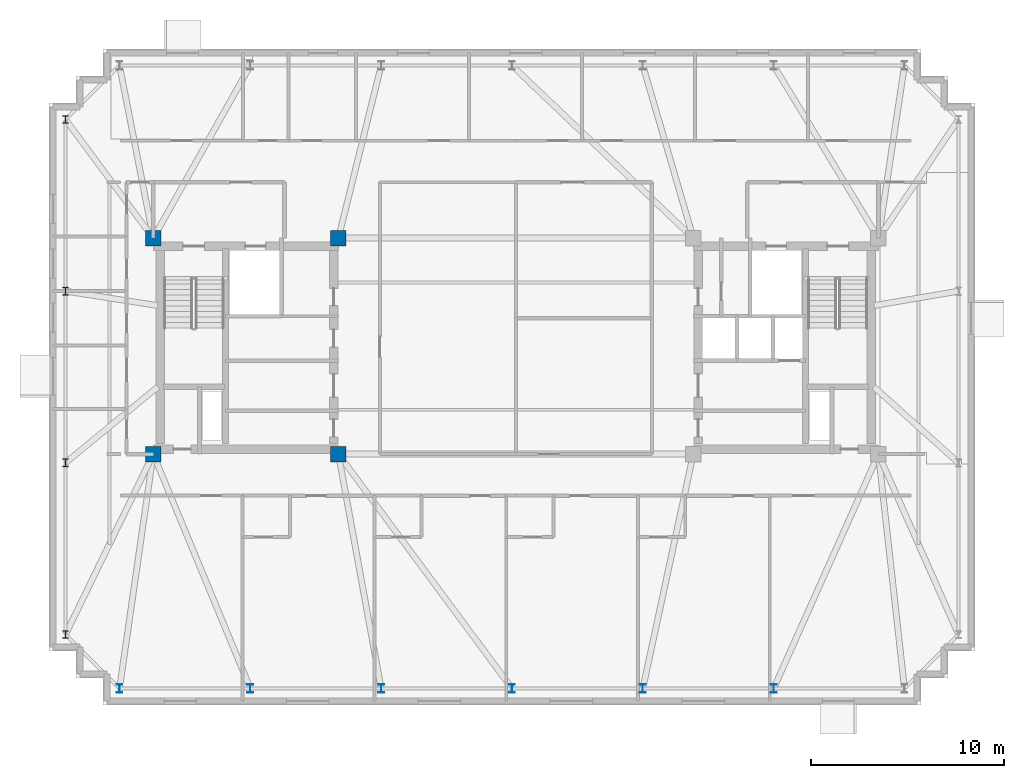
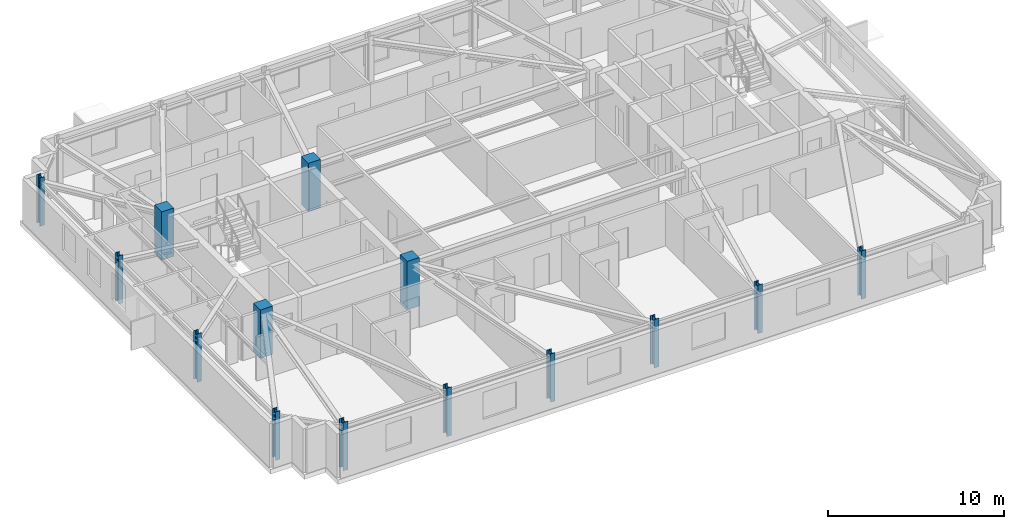
# One storey, part 1 of 12: 14 columns.
"""IFC4 building model written with IfcOpenShell, lengths in metres."""

from ifc_helpers import new_model, si_unit, direction, frame, origin, origin_2d, place, context, subcontext, project, spatial, rectangle, i_section, extrude, material, material_profile, profile_set, type_object, element, save


model = new_model("IFC4")

# Units and contexts
model_context = context("Model", 3, precision=1e-05, world=origin(), true_north=direction((0.0, 1.0)))
body_context = subcontext(model_context, "Body", "Model", "MODEL_VIEW")
ifc_project = project(units=[si_unit("LENGTHUNIT", "METRE"), si_unit("AREAUNIT", "SQUARE_METRE"), si_unit("VOLUMEUNIT", "CUBIC_METRE"), si_unit("PLANEANGLEUNIT", "RADIAN"), si_unit("MASSUNIT", "GRAM", prefix="KILO")], contexts=[model_context])

# Site, building, storey
site_placement = place(None, origin())
site = spatial("IfcSite", under=ifc_project, at=site_placement, CompositionType="ELEMENT")
building_placement = place(site_placement, origin())
building = spatial("IfcBuilding", under=site, at=building_placement, Name="Qobustan Lattice House", CompositionType="ELEMENT")
storey_placement = place(building_placement, frame((0.0, 0.0, 241.699951171875)))
storey = spatial("IfcBuildingStorey", under=building, at=storey_placement, Name="L68", CompositionType="ELEMENT", Elevation=241.699951171875)

# Columns
ifc_material_1 = material(Name="Concrete C50/60", Category="concrete")
ifc_material_profile_1 = material_profile(ifc_material_1, rectangle(XDim=0.800048828125, YDim=0.800048828125, at=origin_2d()), Name="RC800x800")
ifc_profile_set_1 = profile_set([ifc_material_profile_1], Name="Concrete C50/60")
column_type_1 = type_object("IfcColumnType", Name="COL-RC-800", PredefinedType="COLUMN", material=ifc_profile_set_1)
for number, where, z_axis, x_axis, name in (
    (1, (-18.800048828125, -5.60009765625, 0.0), (0.0, 0.0, 1.0), (1.0, 0.0, 0.0), "L68 core mega-column CW-SW"),
    (2, (-18.800048828125, 5.60009765625, 0.0), (0.0, 0.0, 1.0), (1.0, 0.0, 0.0), "L68 core mega-column CW-NW"),
    (3, (-9.199951171875, -5.60009765625, 0.0), (0.0, 0.0, 1.0), (1.0, 0.0, 0.0), "L68 core mega-column CW-SE"),
    (4, (-9.199951171875, 5.60009765625, 0.0), (0.0, 0.0, 1.0), (1.0, 0.0, 0.0), "L68 core mega-column CW-NE"),
):
    element("IfcColumn", number, at=place(storey_placement, frame(where, z_axis=z_axis, x_axis=x_axis)), inside=storey, type_object=column_type_1, Name=name, PredefinedType="COLUMN", context=body_context, shape_type="SweptSolid", body=[
        extrude(rectangle(XDim=0.800048828125, YDim=0.800048828125, at=origin_2d()), origin(), (0.0, 0.0, 1.0), 3.35009765625),
    ])
ifc_material_2 = material(Name="Steel S355", Category="steel")
ifc_material_profile_2 = material_profile(ifc_material_2, i_section(OverallWidth=0.300048828125, OverallDepth=0.39990234375, WebThickness=0.013427734375, FlangeThickness=0.02392578125, FilletRadius=0.027099609375, at=origin_2d()), Name="HEB400")
ifc_profile_set_2 = profile_set([ifc_material_profile_2], Name="Steel S355")
column_type_2 = type_object("IfcColumnType", Name="COL-ST-HEB400", PredefinedType="COLUMN", material=ifc_profile_set_2)
for number, where, z_axis, x_axis, name in (
    (5, (-23.35009765625, 11.75, 0.0), (0.0, 0.0, 1.0), (1.0, 0.0, 0.0), "L68 B5 perimeter column W1"),
    (6, (-23.35009765625, 2.85009765625, 0.0), (0.0, 0.0, 1.0), (1.0, 0.0, 0.0), "L68 B5 perimeter column W2"),
    (7, (-23.35009765625, -6.050048828125, 0.0), (0.0, 0.0, 1.0), (1.0, 0.0, 0.0), "L68 B5 perimeter column W3"),
    (8, (-23.35009765625, -14.949951171875, 0.0), (0.0, 0.0, 1.0), (1.0, 0.0, 0.0), "L68 B5 perimeter column W4"),
):
    element("IfcColumn", number, at=place(storey_placement, frame(where, z_axis=z_axis, x_axis=x_axis)), inside=storey, type_object=column_type_2, Name=name, PredefinedType="COLUMN", context=body_context, shape_type="SweptSolid", body=[
        extrude(i_section(OverallWidth=0.300048828125, OverallDepth=0.39990234375, WebThickness=0.013427734375, FlangeThickness=0.02392578125, FilletRadius=0.027099609375, at=origin_2d()), origin(), (0.0, 0.0, 1.0), 3.35009765625),
    ])
ifc_material_3 = material(Name="Steel S355", Category="steel")
ifc_material_profile_3 = material_profile(ifc_material_3, i_section(OverallWidth=0.300048828125, OverallDepth=0.449951171875, WebThickness=0.013916015625, FlangeThickness=0.02587890625, FilletRadius=0.027099609375, at=origin_2d()), Name="HEB450")
ifc_profile_set_3 = profile_set([ifc_material_profile_3], Name="Steel S355")
column_type_3 = type_object("IfcColumnType", Name="COL-ST-HEB450", PredefinedType="COLUMN", material=ifc_profile_set_3)
for number, where, z_axis, x_axis, name in (
    (9, (-20.550048828125, -17.75, 0.0), (0.0, 0.0, 1.0), (1.0, 0.0, 0.0), "L68 B5 perimeter column S1"),
    (10, (-13.7666015625, -17.75, 0.0), (0.0, 0.0, 1.0), (1.0, 0.0, 0.0), "L68 B5 perimeter column S2"),
    (11, (-6.9833984375, -17.75, 0.0), (0.0, 0.0, 1.0), (1.0, 0.0, 0.0), "L68 B5 perimeter column S3"),
    (12, (-0.199951171875, -17.75, 0.0), (0.0, 0.0, 1.0), (1.0, 0.0, 0.0), "L68 B5 perimeter column S4"),
    (13, (6.583251953125, -17.75, 0.0), (0.0, 0.0, 1.0), (1.0, 0.0, 0.0), "L68 B5 perimeter column S5"),
    (14, (13.36669921875, -17.75, 0.0), (0.0, 0.0, 1.0), (1.0, 0.0, 0.0), "L68 B5 perimeter column S6"),
):
    element("IfcColumn", number, at=place(storey_placement, frame(where, z_axis=z_axis, x_axis=x_axis)), inside=storey, type_object=column_type_3, Name=name, PredefinedType="COLUMN", context=body_context, shape_type="SweptSolid", body=[
        extrude(i_section(OverallWidth=0.300048828125, OverallDepth=0.449951171875, WebThickness=0.013916015625, FlangeThickness=0.02587890625, FilletRadius=0.027099609375, at=origin_2d()), origin(), (0.0, 0.0, 1.0), 3.35009765625),
    ])

save(model, "model.ifc")
